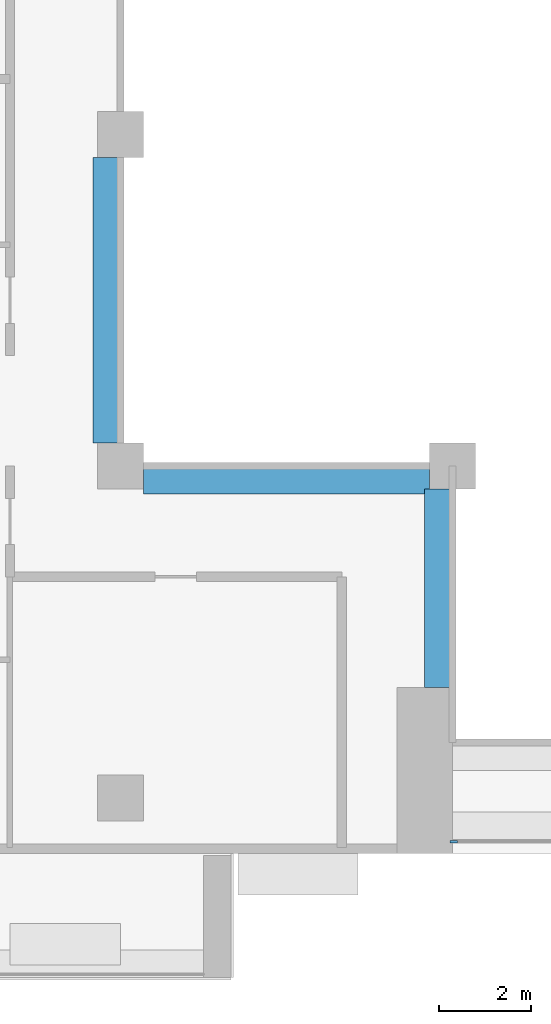
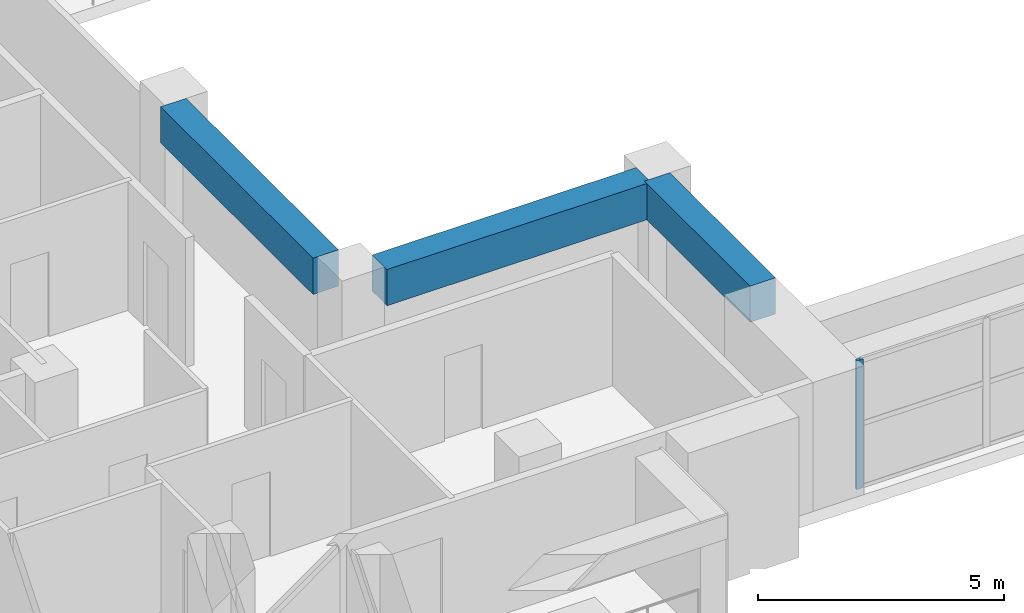
# One storey, part 2 of 20: 3 beams, 1 member, 1 element without a shape of its own.
"""IFC4 building model written with IfcOpenShell, lengths in metres."""

from ifc_helpers import new_model, si_unit, direction, frame, origin, origin_2d, place, context, subcontext, project, spatial, rectangle, extrude, source, transform, mapped, material, layer, layer_set, material_profile, profile_set, type_object, element, aggregate, save


model = new_model("IFC4")

# Units and contexts
model_context = context("Model", 3, precision=1e-05, world=origin(), true_north=direction((0.0, 1.0)))
body_context = subcontext(model_context, "Body", "Model", "MODEL_VIEW")
ifc_project = project(units=[si_unit("LENGTHUNIT", "METRE"), si_unit("AREAUNIT", "SQUARE_METRE"), si_unit("VOLUMEUNIT", "CUBIC_METRE"), si_unit("PLANEANGLEUNIT", "RADIAN"), si_unit("MASSUNIT", "GRAM", prefix="KILO")], contexts=[model_context])

# Site, building, storey
site_placement = place(None, origin())
site = spatial("IfcSite", under=ifc_project, at=site_placement, CompositionType="ELEMENT")
building_placement = place(site_placement, origin())
building = spatial("IfcBuilding", under=site, at=building_placement, Name="Saffron Iwan Residences", CompositionType="ELEMENT")
storey_placement = place(building_placement, frame((0.0, 0.0, 153.5)))
storey = spatial("IfcBuildingStorey", under=building, at=storey_placement, Name="L40", CompositionType="ELEMENT", Elevation=153.5)

# Beams
ifc_material_1 = material(Name="Concrete C50/60", Category="concrete")
ifc_material_profile_1 = material_profile(ifc_material_1, rectangle(XDim=0.60009765625, YDim=0.89990234375, at=origin_2d()), Name="RC 600x900")
ifc_profile_set_1 = profile_set([ifc_material_profile_1], Name="Concrete C50/60")
beam_type = type_object("IfcBeamType", Name="BEAM RC 600x900 C50/60 TOP 3200", PredefinedType="BEAM", material=ifc_profile_set_1)
shared_shape_1 = source(origin(), body_context, "Body", "SweptSolid", [
    extrude(rectangle(XDim=0.60009765625, YDim=0.89990234375, at=origin_2d()), origin(), (0.0, 0.0, 1.0), 4.300048828125),
])
beam_placement = place(storey_placement, frame((42.89990234375, 43.199951171875, 2.75), z_axis=(0.0, 1.0, 0.0), x_axis=(-1.0, 0.0, 0.0)))
element("IfcBeam", 1, at=beam_placement, inside=storey, type_object=beam_type, Name="Atrium edge beam", PredefinedType="BEAM", context=body_context, shape_type="MappedRepresentation", body=[
    mapped(shared_shape_1, transform((0.0, 0.0, 0.0))),
])
shared_shape_2 = source(origin(), body_context, "Body", "SweptSolid", [
    extrude(rectangle(XDim=0.60009765625, YDim=0.89990234375, at=origin_2d()), origin(), (0.0, 0.0, 1.0), 6.199951171875),
])
for number, where, z_axis, x_axis, name in (
    (2, (42.699951171875, 47.699951171875, 2.75), (-1.0, 0.0, 0.0), (0.0, -1.0, 0.0), "Atrium edge beam"),
    (3, (35.699951171875, 48.5, 2.75), (0.0, 1.0, 0.0), (-1.0, 0.0, 0.0), "Atrium edge beam"),
):
    element("IfcBeam", number, at=place(storey_placement, frame(where, z_axis=z_axis, x_axis=x_axis)), inside=storey, type_object=beam_type, Name=name, PredefinedType="BEAM", context=body_context, shape_type="MappedRepresentation", body=[
        mapped(shared_shape_2, transform((0.0, 0.0, 0.0))),
    ])

# Curtain wall, member
ifc_material_2 = material(Name="Clear glass, laminated double glazed", Category="glass")
ifc_layer = layer(ifc_material_2, 0.199951171875)
ifc_layer_set = layer_set([ifc_layer], Name="Clear glass, laminated double glazed")
curtain_wall_type = type_object("IfcCurtainWallType", Name="CW-B IWAN PORTAL", PredefinedType="NOTDEFINED", material=ifc_layer_set)
curtain_wall_placement = place(storey_placement, origin())
curtain_wall = element("IfcCurtainWall", 4, at=curtain_wall_placement, inside=storey, type_object=curtain_wall_type, Name="Iwan portal glazing L40.1", PredefinedType="NOTDEFINED")
ifc_material_3 = material(Name="Aluminium 6063-T6", Category="aluminium")
ifc_material_profile_2 = material_profile(ifc_material_3, rectangle(XDim=0.06005859375, YDim=0.159912109375, at=origin_2d()), Name="CW-B MULLION 60 x 160")
ifc_profile_set_2 = profile_set([ifc_material_profile_2], Name="Aluminium 6063-T6")
member_type = type_object("IfcMemberType", Name="CW-B MULLION 60 x 160", PredefinedType="MULLION", material=ifc_profile_set_2)
shared_shape_3 = source(origin(), body_context, "Body", "SweptSolid", [
    extrude(rectangle(XDim=0.06005859375, YDim=0.159912109375, at=origin_2d()), origin(), (0.0, 0.0, 1.0), 3.199951171875),
])
member_placement = place(storey_placement, frame((43.22998046875, 39.85009765625, 0.0), z_axis=(0.0, 0.0, 1.0), x_axis=(0.0, 1.0, 0.0)))
member = element("IfcMember", 5, at=member_placement, type_object=member_type, Name="CW-B mullion 1", PredefinedType="MULLION", context=body_context, shape_type="MappedRepresentation", body=[
    mapped(shared_shape_3, transform((0.0, 0.0, 0.0))),
])
aggregate(curtain_wall, [member])

save(model, "model.ifc")
